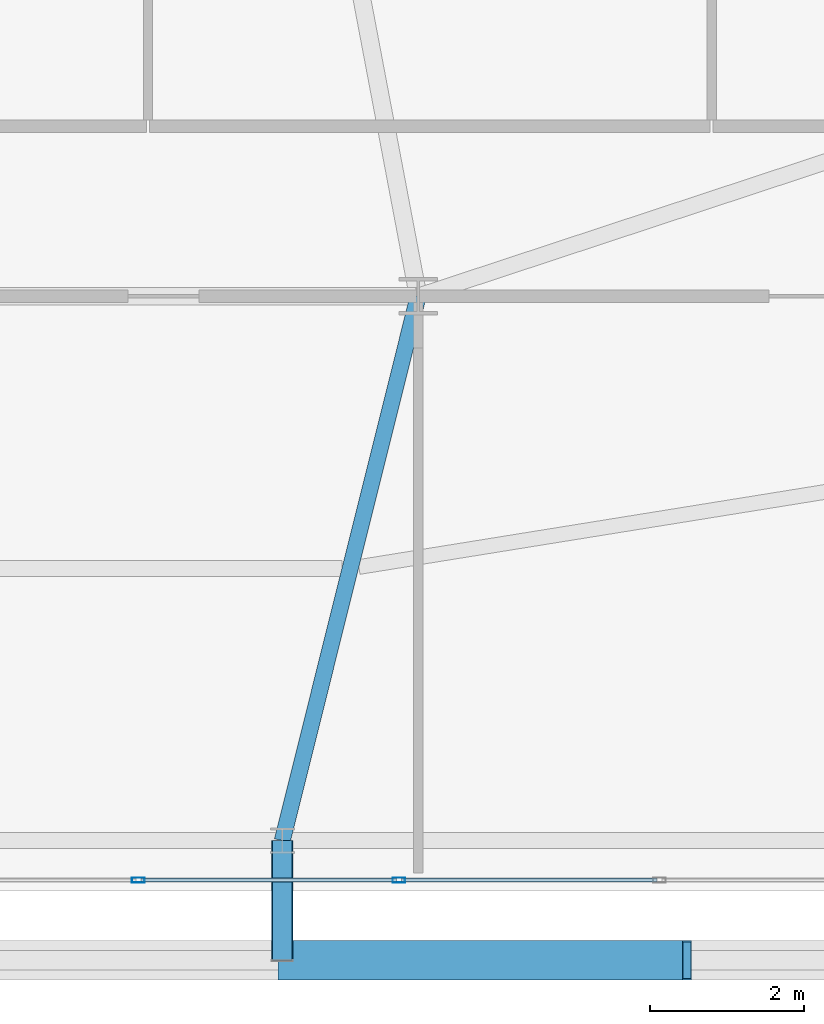
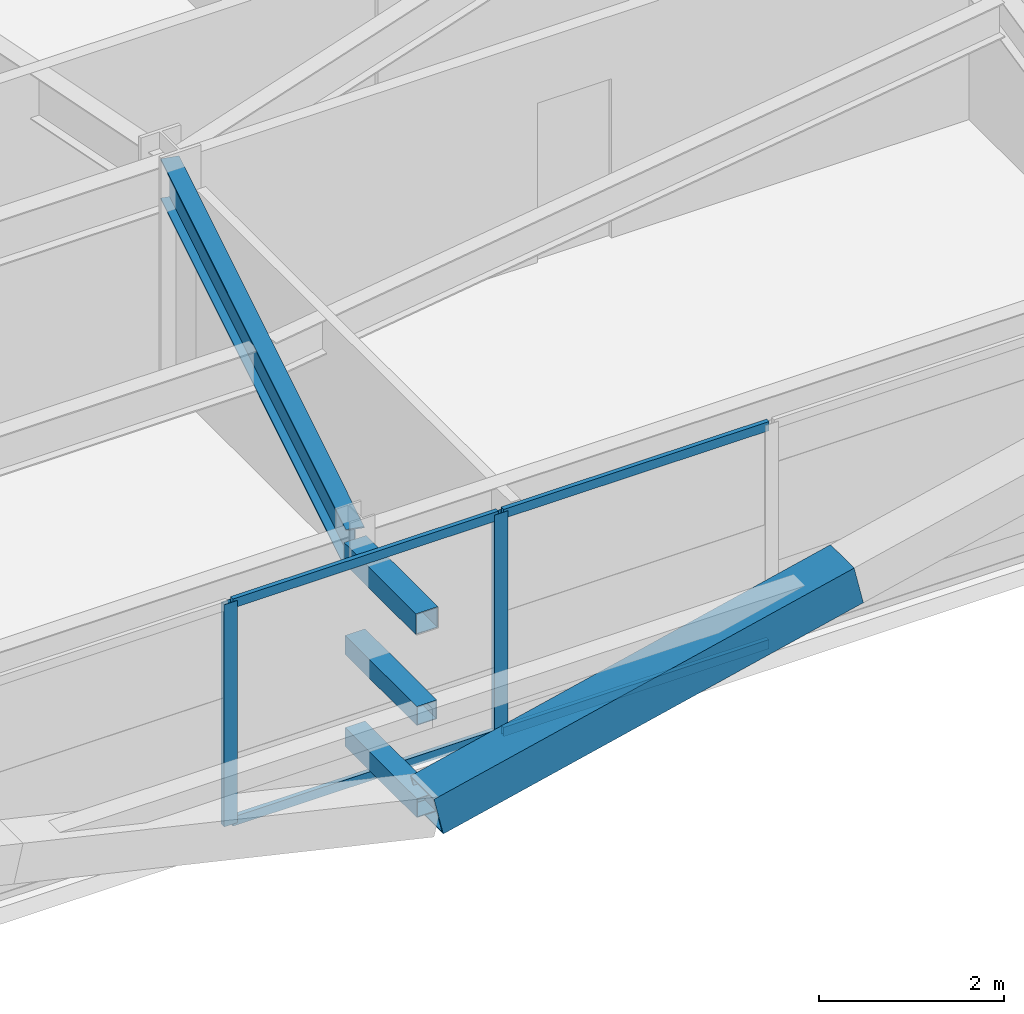
# One storey, part 20 of 58: 10 members, 1 beam, 1 element without a shape of its own.
"""IFC4 building model written with IfcOpenShell, lengths in metres."""

import ifcopenshell
import ifcopenshell.guid

model = None  # the IFC model being written
_history = None  # IfcOwnerHistory: only IFC2X3 demands one
_inside = {}  # id of a spatial element -> (the spatial element, [elements in it])
_under = {}  # id of a project, library or spatial element -> (it, [spatial elements below it])
_declared = {}  # id of a project -> (the project, [libraries it declares])
_typed = {}  # id of a type object -> (the type object, [elements of that type])
_made_of = {}  # id of a material, layer set ... -> (it, [elements and type objects made of it])


def new_model(schema):
    """Start an empty IFC model of exactly this schema.

    Asked for "IFC4X3", IfcOpenShell would pick the latest addendum, in which some entities
    have other attributes; the version numbers below select the first issue.
    IFC2X3 requires an IfcOwnerHistory on every rooted entity: one is made here for all.
    """
    global model, _history
    if schema == "IFC4X3":
        model = ifcopenshell.file(schema_version=(4, 3, 0, 0))
    else:
        model = ifcopenshell.file(schema=schema)
    _inside.clear()
    _under.clear()
    _declared.clear()
    _typed.clear()
    _made_of.clear()
    _history = None
    if model.schema == "IFC2X3":
        org = make("IfcOrganization", Name="unknown")
        user = make(
            "IfcPersonAndOrganization",
            ThePerson=make("IfcPerson", FamilyName="unknown"),
            TheOrganization=org,
        )
        app = make(
            "IfcApplication",
            ApplicationDeveloper=org,
            Version="unknown",
            ApplicationFullName="unknown",
            ApplicationIdentifier="unknown",
        )
        _history = make(
            "IfcOwnerHistory",
            OwningUser=user,
            OwningApplication=app,
            ChangeAction="ADDED",
            CreationDate=0,
        )
    return model


def make(cls, **values):
    """One entity of the class cls with the attributes given. An attribute that is None is left unset."""
    return model.create_entity(
        cls, **{name: value for name, value in values.items() if value is not None}
    )


def rooted(cls, **values):
    """An entity with a GlobalId (a new one), such as an element, a storey or a relation."""
    return make(cls, GlobalId=ifcopenshell.guid.new(), OwnerHistory=_history, **values)


def si_unit(unit_type, name, prefix=None):
    """IfcSIUnit, for example si_unit("LENGTHUNIT", "METRE", prefix="MILLI")."""
    return make("IfcSIUnit", UnitType=unit_type, Prefix=prefix, Name=name)


def assignment(units):
    """IfcUnitAssignment: the units of a project."""
    return None if units is None else make("IfcUnitAssignment", Units=units)


def point(xyz):
    """IfcCartesianPoint."""
    return None if xyz is None else make("IfcCartesianPoint", Coordinates=xyz)


def direction(xyz):
    """IfcDirection."""
    return None if xyz is None else make("IfcDirection", DirectionRatios=xyz)


def frame(location, z_axis=None, x_axis=None):
    """IfcAxis2Placement3D, a coordinate frame: its origin and axes. An axis left out is left unset."""
    return make(
        "IfcAxis2Placement3D",
        Location=point(location),
        Axis=direction(z_axis),
        RefDirection=direction(x_axis),
    )


def frame_2d(location, x_axis=None):
    """IfcAxis2Placement2D, a coordinate frame in the plane: its origin and x axis."""
    return make(
        "IfcAxis2Placement2D", Location=point(location), RefDirection=direction(x_axis)
    )


def origin():
    """The frame at (0, 0, 0) with its axes left unset."""
    return frame((0.0, 0.0, 0.0))


def origin_2d():
    """The frame at (0, 0) in the plane with its x axis left unset."""
    return frame_2d((0.0, 0.0))


def place(relative_to, where):
    """IfcLocalPlacement: puts the frame where relative to a parent placement (None: the world)."""
    return make(
        "IfcLocalPlacement", PlacementRelTo=relative_to, RelativePlacement=where
    )


def context(
    kind, dimensions, precision=None, world=None, true_north=None, identifier=None
):
    """IfcGeometricRepresentationContext, for example the 3D "Model" context."""
    return make(
        "IfcGeometricRepresentationContext",
        ContextIdentifier=identifier,
        ContextType=kind,
        CoordinateSpaceDimension=dimensions,
        Precision=precision,
        WorldCoordinateSystem=world,
        TrueNorth=true_north,
    )


def subcontext(parent, identifier, kind, view, scale=None):
    """IfcGeometricRepresentationSubContext, for example "Body" below "Model"."""
    return make(
        "IfcGeometricRepresentationSubContext",
        ContextIdentifier=identifier,
        ContextType=kind,
        ParentContext=parent,
        TargetScale=scale,
        TargetView=view,
    )


def project(units=None, contexts=None):
    """IfcProject with its units and contexts."""
    return rooted(
        "IfcProject",
        Name="project",
        RepresentationContexts=contexts,
        UnitsInContext=assignment(units),
    )


def spatial(cls, under=None, at=None, **own):
    """A site, building, storey or space (cls), placed at a placement, below another one or the project."""
    s = rooted(cls, ObjectPlacement=at, **own)
    if under is not None:
        _under.setdefault(under.id(), (under, []))[1].append(s)
    return s


def profile(cls, at=None, kind="AREA", **sizes):
    """A parametric profile (cls). Its sizes go by their IFC names, for example OverallWidth=200.0."""
    return make(cls, ProfileType=kind, Position=at, **sizes)


def hollow_rectangle(**sizes):
    """IfcRectangleHollowProfileDef."""
    return profile("IfcRectangleHollowProfileDef", **sizes)


def i_section(**sizes):
    """IfcIShapeProfileDef."""
    return profile("IfcIShapeProfileDef", **sizes)


def extrude(swept, where, along, depth):
    """IfcExtrudedAreaSolid: the profile swept, set in the frame where, extruded along a direction by depth."""
    return make(
        "IfcExtrudedAreaSolid",
        SweptArea=swept,
        Position=where,
        ExtrudedDirection=direction(along),
        Depth=depth,
    )


def shape(context_of_items, identifier, shape_type, items):
    """IfcShapeRepresentation: the items that make up one representation, for example the "Body"."""
    return make(
        "IfcShapeRepresentation",
        ContextOfItems=context_of_items,
        RepresentationIdentifier=identifier,
        RepresentationType=shape_type,
        Items=items,
    )


def source(mapping_origin, context_of_items, identifier, shape_type, items):
    """IfcRepresentationMap: a shape defined once, which mapped items show again and again."""
    return make(
        "IfcRepresentationMap",
        MappingOrigin=mapping_origin,
        MappedRepresentation=shape(context_of_items, identifier, shape_type, items),
    )


def transform(
    local_origin,
    x_axis=None,
    y_axis=None,
    z_axis=None,
    scale=None,
    scale2=None,
    scale3=None,
    uniform=True,
):
    """IfcCartesianTransformationOperator3D, or its non-uniform kind. x_axis, y_axis, z_axis: its Axis1, 2, 3."""
    if uniform:
        return make(
            "IfcCartesianTransformationOperator3D",
            Axis1=direction(x_axis),
            Axis2=direction(y_axis),
            LocalOrigin=point(local_origin),
            Scale=scale,
            Axis3=direction(z_axis),
        )
    return make(
        "IfcCartesianTransformationOperator3DnonUniform",
        Axis1=direction(x_axis),
        Axis2=direction(y_axis),
        LocalOrigin=point(local_origin),
        Scale=scale,
        Axis3=direction(z_axis),
        Scale2=scale2,
        Scale3=scale3,
    )


def mapped(mapping_source, mapping_target):
    """IfcMappedItem: shows the shape of a source again, moved by a transform."""
    return make(
        "IfcMappedItem", MappingSource=mapping_source, MappingTarget=mapping_target
    )


def material(Name=None, Category=None):
    """IfcMaterial."""
    return make("IfcMaterial", Name=Name, Category=Category)


def layer(
    of_material, thickness, ventilated=None, Name=None, Category=None, Priority=None
):
    """IfcMaterialLayer: one layer of a wall or slab, of a material (None: an air gap)."""
    return make(
        "IfcMaterialLayer",
        Material=of_material,
        LayerThickness=thickness,
        IsVentilated=ventilated,
        Name=Name,
        Category=Category,
        Priority=Priority,
    )


def layer_set(layers, Name=None):
    """IfcMaterialLayerSet."""
    return make("IfcMaterialLayerSet", MaterialLayers=layers, LayerSetName=Name)


def material_profile(
    of_material, cross_section, Name=None, Category=None, Priority=None
):
    """IfcMaterialProfile: a cross section and its material."""
    return make(
        "IfcMaterialProfile",
        Name=Name,
        Material=of_material,
        Profile=cross_section,
        Priority=Priority,
        Category=Category,
    )


def profile_set(profiles, Name=None, composite=None):
    """IfcMaterialProfileSet."""
    return make(
        "IfcMaterialProfileSet",
        Name=Name,
        MaterialProfiles=profiles,
        CompositeProfile=composite,
    )


def made_of(thing, what):
    """Note that an element or type object is made of a material, layer set ...; save() writes the relation."""
    if what is not None:
        _made_of.setdefault(what.id(), (what, []))[1].append(thing)
    return thing


def type_object(cls, material=None, **own):
    """A type object (cls), such as IfcWallType, which elements share."""
    return made_of(rooted(cls, **own), material)


def element(
    cls,
    number,
    at=None,
    inside=None,
    cuts=None,
    type_object=None,
    material=None,
    context=None,
    identifier="Body",
    shape_type=None,
    held_by="IfcProductDefinitionShape",
    body=None,
    shapes=None,
    **own,
):
    """One element of the class cls, such as IfcWall. Its Tag is "e" and its number.

    at: its placement. inside: the storey or other place that contains it. cuts: it is an
    opening in that element (IfcRelVoidsElement). A single representation is given by context,
    identifier, shape_type and body (its items); several are given by shapes. held_by: the class
    of the entity that holds the representations. save() writes the other relations.
    """
    e = rooted(cls, Tag="e%d" % number, ObjectPlacement=at, **own)
    if body is not None:
        shapes = [shape(context, identifier, shape_type, body)]
    if shapes is not None:
        e.Representation = make(held_by, Representations=shapes)
    if inside is not None:
        _inside.setdefault(inside.id(), (inside, []))[1].append(e)
    if cuts is not None:
        rooted(
            "IfcRelVoidsElement", RelatingBuildingElement=cuts, RelatedOpeningElement=e
        )
    if type_object is not None:
        _typed.setdefault(type_object.id(), (type_object, []))[1].append(e)
    return made_of(e, material)


def aggregate(whole, parts):
    """IfcRelAggregates: a whole, such as a stair, and the parts it consists of."""
    return rooted("IfcRelAggregates", RelatingObject=whole, RelatedObjects=parts)


def save(model, path):
    """Write the relations noted so far, then the file.

    IfcRelAggregates (storeys below a building ...), IfcRelContainedInSpatialStructure (elements
    in a storey), IfcRelDefinesByType, IfcRelAssociatesMaterial and IfcRelDeclares: one each for
    every whole, place, type object, material and project.
    """
    for whole, parts in _under.values():
        aggregate(whole, parts)
    for where, things in _inside.values():
        rooted(
            "IfcRelContainedInSpatialStructure",
            RelatedElements=things,
            RelatingStructure=where,
        )
    for kind, things in _typed.values():
        rooted("IfcRelDefinesByType", RelatedObjects=things, RelatingType=kind)
    for what, things in _made_of.values():
        rooted("IfcRelAssociatesMaterial", RelatedObjects=things, RelatingMaterial=what)
    for by, libraries in _declared.values():
        rooted("IfcRelDeclares", RelatingContext=by, RelatedDefinitions=libraries)
    model.write(path)


model = new_model("IFC4")

# Units and contexts
model_context = context("Model", 3, precision=1e-05, world=origin(), true_north=direction((0.0, 1.0)))
body_context = subcontext(model_context, "Body", "Model", "MODEL_VIEW")
ifc_project = project(units=[si_unit("LENGTHUNIT", "METRE"), si_unit("AREAUNIT", "SQUARE_METRE"), si_unit("VOLUMEUNIT", "CUBIC_METRE"), si_unit("PLANEANGLEUNIT", "RADIAN"), si_unit("MASSUNIT", "GRAM", prefix="KILO")], contexts=[model_context])

# Site, building, storey
site_placement = place(None, origin())
site = spatial("IfcSite", under=ifc_project, at=site_placement, CompositionType="ELEMENT")
building_placement = place(site_placement, origin())
building = spatial("IfcBuilding", under=site, at=building_placement, Name="Taldren Reach Tower", CompositionType="ELEMENT")
storey_placement = place(building_placement, frame((0.0, 0.0, 32.550048828125)))
storey = spatial("IfcBuildingStorey", under=building, at=storey_placement, Name="L09", CompositionType="ELEMENT", Elevation=32.550048828125)

# Beam
ifc_material_1 = material(Name="Steel Gr 350 (350PLUS)", Category="steel")
ifc_material_profile_1 = material_profile(ifc_material_1, i_section(OverallWidth=0.208984375, OverallDepth=0.532958984375, WebThickness=0.01025390625, FlangeThickness=0.015625, at=origin_2d()), Name="530UB92.4")
ifc_profile_set_1 = profile_set([ifc_material_profile_1], Name="Steel Gr 350 (350PLUS)")
beam_type = type_object("IfcBeamType", Name="BM-UB530A", PredefinedType="BEAM", material=ifc_profile_set_1)
shared_shape_1 = source(origin(), body_context, "Body", "SweptSolid", [
    extrude(i_section(OverallWidth=0.208984375, OverallDepth=0.532958984375, WebThickness=0.01025390625, FlangeThickness=0.015625, at=origin_2d()), origin(), (0.0, 0.0, 1.0), 7.266357421875),
])
beam_placement = place(storey_placement, frame((42.0, 9.199951171875, 2.663330078125), z_axis=(-0.24221148493, -0.970223477642, 0.0), x_axis=(0.970223477642, -0.24221148493, 0.0)))
element("IfcBeam", 1, at=beam_placement, inside=storey, type_object=beam_type, Name="Primary floor girder B1-S4 L09", PredefinedType="BEAM", context=body_context, shape_type="MappedRepresentation", body=[
    mapped(shared_shape_1, transform((0.0, 0.0, 0.0), scale=1.0)),
])

# Members
ifc_material_2 = material(Name="Steel Gr 450 (C450L0)", Category="steel")
ifc_material_profile_2 = material_profile(ifc_material_2, hollow_rectangle(XDim=0.27490234375, YDim=0.27490234375, WallThickness=0.00927734375, at=origin_2d()), Name="275x275x9.3SHS")
ifc_profile_set_2 = profile_set([ifc_material_profile_2], Name="Steel Gr 450 (C450L0)")
member_type_1 = type_object("IfcMemberType", Name="MB-TIE273", PredefinedType="STRUT", material=ifc_profile_set_2)
shared_shape_2 = source(origin(), body_context, "Body", "SweptSolid", [
    extrude(hollow_rectangle(XDim=0.27490234375, YDim=0.27490234375, WallThickness=0.00927734375, at=origin_2d()), origin(), (0.0, 0.0, 1.0), 1.5498046875),
])
member_1_placement = place(storey_placement, frame((40.239990234375, 2.14990234375, 2.64990234375), z_axis=(0.0, -1.0, 0.0), x_axis=(1.0, 0.0, 0.0)))
element("IfcMember", 2, at=member_1_placement, inside=storey, type_object=member_type_1, Name="Exoskeleton diaphragm tie strut B1-S4 L09", PredefinedType="STRUT", context=body_context, shape_type="MappedRepresentation", body=[
    mapped(shared_shape_2, transform((0.0, 0.0, 0.0), scale=1.0)),
])
ifc_material_profile_3 = material_profile(ifc_material_2, hollow_rectangle(XDim=0.510009765625, YDim=0.510009765625, WallThickness=0.02001953125, at=origin_2d()), Name="510x510x20.0SHS")
ifc_profile_set_3 = profile_set([ifc_material_profile_3], Name="Steel Gr 450 (C450L0)")
member_type_2 = type_object("IfcMemberType", Name="MB-EXO508", PredefinedType="BRACE", material=ifc_profile_set_3)
shared_shape_3 = source(origin(), body_context, "Body", "SweptSolid", [
    extrude(hollow_rectangle(XDim=0.510009765625, YDim=0.510009765625, WallThickness=0.02001953125, at=origin_2d()), origin(), (0.0, 0.0, 1.0), 5.37890625),
])
member_2_placement = place(storey_placement, frame((40.239990234375, 0.60009765625, 0.219970703125), z_axis=(0.97415197996, 0.0, 0.225893603143), x_axis=(0.0, 1.0, 0.0)))
element("IfcMember", 3, at=member_2_placement, inside=storey, type_object=member_type_2, Name="Exoskeleton Diagrid Brace B1-S4 L09", PredefinedType="BRACE", context=body_context, shape_type="MappedRepresentation", body=[
    mapped(shared_shape_3, transform((0.0, 0.0, 0.0), scale=1.0)),
])
ifc_material_3 = material(Name="Steel Gr 350 (C350L0)", Category="steel")
ifc_material_profile_4 = material_profile(ifc_material_3, hollow_rectangle(XDim=0.25, YDim=0.25, WallThickness=0.010009765625, at=origin_2d()), Name="250x250x10.0SHS")
ifc_profile_set_4 = profile_set([ifc_material_profile_4], Name="Steel Gr 350 (C350L0)")
member_type_3 = type_object("IfcMemberType", Name="MB-POST250", PredefinedType="POST", material=ifc_profile_set_4)
shared_shape_4 = source(origin(), body_context, "Body", "SweptSolid", [
    extrude(hollow_rectangle(XDim=0.25, YDim=0.25, WallThickness=0.010009765625, at=origin_2d()), origin(), (0.0, 0.0, 1.0), 1.5498046875),
])
for number, where, z_axis, x_axis, name in (
    (4, (40.239990234375, 2.14990234375, 0.219970703125), (0.0, -1.0, 0.0), (1.0, 0.0, 0.0), "Exoskeleton base diaphragm tie strut B1-S4 L09"),
    (5, (40.239990234375, 2.14990234375, 1.43505859375), (0.0, -1.0, 0.0), (1.0, 0.0, 0.0), "Exoskeleton mid-tier diaphragm tie B1-S4 L09"),
):
    element("IfcMember", number, at=place(storey_placement, frame(where, z_axis=z_axis, x_axis=x_axis)), inside=storey, type_object=member_type_3, Name=name, PredefinedType="POST", context=body_context, shape_type="MappedRepresentation", body=[
        mapped(shared_shape_4, transform((0.0, 0.0, 0.0), scale=1.0)),
    ])

# Curtain wall, members
ifc_material_4 = material(Name="Aluminium and Low-E Glass Unitised System", Category="aluminium")
ifc_layer = layer(ifc_material_4, 0.159912109375)
ifc_layer_set = layer_set([ifc_layer], Name="Aluminium and Low-E Glass Unitised System")
curtain_wall_type = type_object("IfcCurtainWallType", Name="CW-SYS-2", PredefinedType="NOTDEFINED", material=ifc_layer_set)
curtain_wall_placement = place(storey_placement, origin())
curtain_wall = element("IfcCurtainWall", 6, at=curtain_wall_placement, inside=storey, type_object=curtain_wall_type, Name="Unitised curtain wall CW-L09-S", PredefinedType="NOTDEFINED")
ifc_material_5 = material(Name="Anodised Aluminium 6063-T6", Category="aluminium")
ifc_material_profile_5 = material_profile(ifc_material_5, hollow_rectangle(XDim=0.06494140625, YDim=0.1650390625, WallThickness=0.00390625, at=origin_2d()), Name="ALU-165x65x4RHS")
ifc_profile_set_5 = profile_set([ifc_material_profile_5], Name="Anodised Aluminium 6063-T6")
member_type_4 = type_object("IfcMemberType", Name="CW-MUL-165", PredefinedType="MULLION", material=ifc_profile_set_5)
shared_shape_5 = source(origin(), body_context, "Body", "SweptSolid", [
    extrude(hollow_rectangle(XDim=0.06494140625, YDim=0.1650390625, WallThickness=0.00390625, at=origin_2d()), origin(), (0.0, 0.0, 1.0), 2.929931640625),
])
member_3_placement = place(storey_placement, frame((38.375, 1.639892578125, 0.0), z_axis=(0.0, 0.0, 1.0), x_axis=(0.0, 1.0, 0.0)))
member_3 = element("IfcMember", 7, at=member_3_placement, type_object=member_type_4, Name="CW-2 mullion 10", PredefinedType="MULLION", context=body_context, shape_type="MappedRepresentation", body=[
    mapped(shared_shape_5, transform((0.0, 0.0, 0.0), scale=1.0)),
])
member_4_placement = place(storey_placement, frame((41.75, 1.639892578125, 0.0), z_axis=(0.0, 0.0, 1.0), x_axis=(0.0, 1.0, 0.0)))
member_4 = element("IfcMember", 8, at=member_4_placement, type_object=member_type_4, Name="CW-2 mullion 11", PredefinedType="MULLION", context=body_context, shape_type="MappedRepresentation", body=[
    mapped(shared_shape_5, transform((0.0, 0.0, 0.0), scale=1.0)),
])
ifc_material_profile_6 = material_profile(ifc_material_5, hollow_rectangle(XDim=0.054931640625, YDim=0.1201171875, WallThickness=0.0029296875, at=origin_2d()), Name="ALU-120x55x3RHS")
ifc_profile_set_6 = profile_set([ifc_material_profile_6], Name="Anodised Aluminium 6063-T6")
member_type_5 = type_object("IfcMemberType", Name="CW-TRN-135", PredefinedType="USERDEFINED", material=ifc_profile_set_6)
shared_shape_6 = source(origin(), body_context, "Body", "SweptSolid", [
    extrude(hollow_rectangle(XDim=0.054931640625, YDim=0.1201171875, WallThickness=0.0029296875, at=origin_2d()), origin(), (0.0, 0.0, 1.0), 3.31005859375),
])
member_5_placement = place(storey_placement, frame((38.407470703125, 1.639892578125, 0.02734375), z_axis=(1.0, 0.0, 0.0), x_axis=(0.0, 1.0, 0.0)))
member_5 = element("IfcMember", 9, at=member_5_placement, type_object=member_type_5, Name="CW-2 transom 10.1", ObjectType="TRANSOM", PredefinedType="USERDEFINED", context=body_context, shape_type="MappedRepresentation", body=[
    mapped(shared_shape_6, transform((0.0, 0.0, 0.0), scale=1.0)),
])
member_6_placement = place(storey_placement, frame((38.407470703125, 1.639892578125, 2.90234375), z_axis=(1.0, 0.0, 0.0), x_axis=(0.0, 1.0, 0.0)))
member_6 = element("IfcMember", 10, at=member_6_placement, type_object=member_type_5, Name="CW-2 transom 10.2", ObjectType="TRANSOM", PredefinedType="USERDEFINED", context=body_context, shape_type="MappedRepresentation", body=[
    mapped(shared_shape_6, transform((0.0, 0.0, 0.0), scale=1.0)),
])
member_7_placement = place(storey_placement, frame((41.782470703125, 1.639892578125, 0.02734375), z_axis=(1.0, 0.0, 0.0), x_axis=(0.0, 1.0, 0.0)))
member_7 = element("IfcMember", 11, at=member_7_placement, type_object=member_type_5, Name="CW-2 transom 11.1", ObjectType="TRANSOM", PredefinedType="USERDEFINED", context=body_context, shape_type="MappedRepresentation", body=[
    mapped(shared_shape_6, transform((0.0, 0.0, 0.0), scale=1.0)),
])
member_8_placement = place(storey_placement, frame((41.782470703125, 1.639892578125, 2.90234375), z_axis=(1.0, 0.0, 0.0), x_axis=(0.0, 1.0, 0.0)))
member_8 = element("IfcMember", 12, at=member_8_placement, type_object=member_type_5, Name="CW-2 transom 11.2", ObjectType="TRANSOM", PredefinedType="USERDEFINED", context=body_context, shape_type="MappedRepresentation", body=[
    mapped(shared_shape_6, transform((0.0, 0.0, 0.0), scale=1.0)),
])
aggregate(curtain_wall, [member_3, member_4, member_5, member_6, member_7, member_8])

save(model, "model.ifc")
